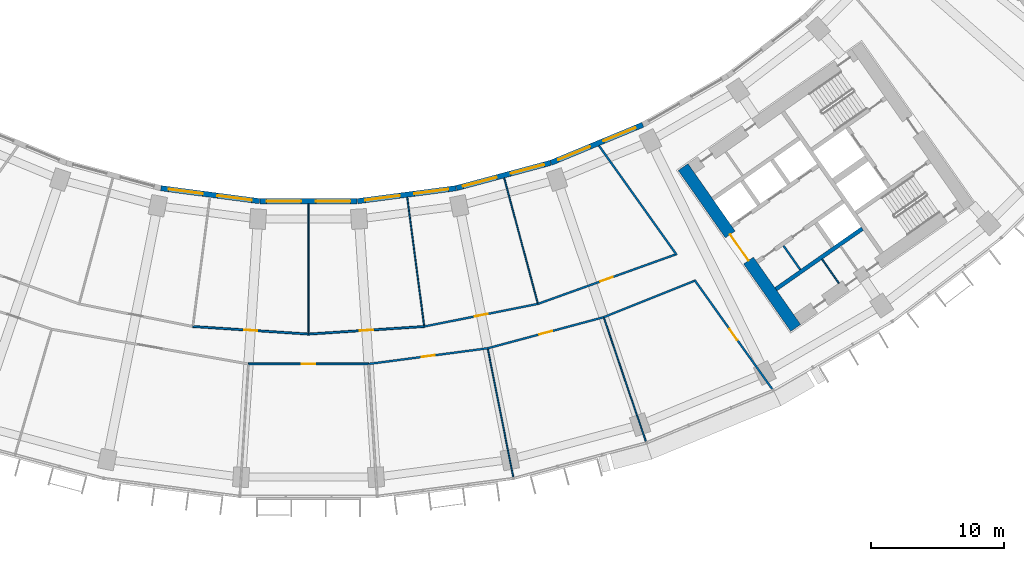
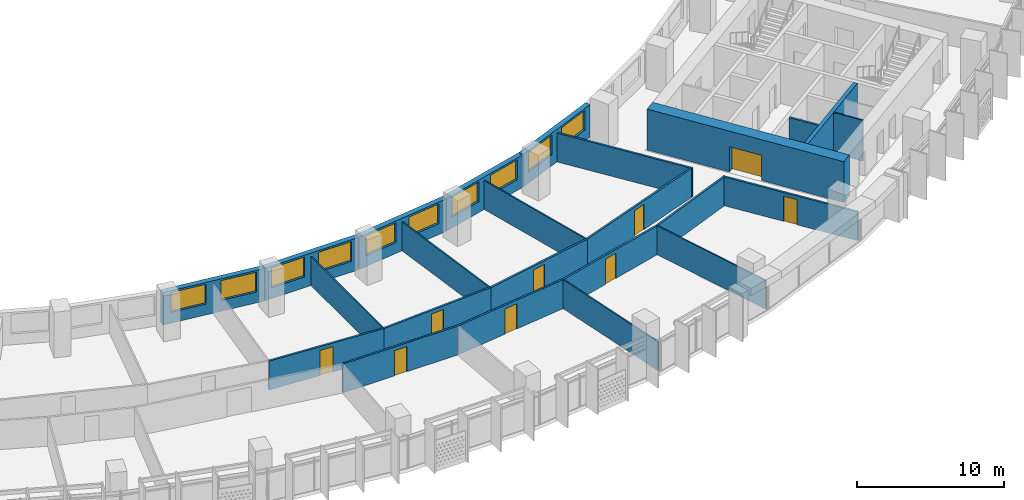
# One storey, part 6 of 28: 24 walls, 10 windows, 9 doors, 19 openings.
"""IFC4 building model written with IfcOpenShell, lengths in metres."""

from ifc_helpers import new_model, si_unit, direction, frame, frame_2d, origin, place, context, subcontext, project, spatial, rectangle, extrude, material, layer, layer_set, type_object, element, fill, save


model = new_model("IFC4")

# Units and contexts
model_context = context("Model", 3, precision=1e-05, world=origin(), true_north=direction((0.0, 1.0)))
body_context = subcontext(model_context, "Body", "Model", "MODEL_VIEW")
ifc_project = project(units=[si_unit("LENGTHUNIT", "METRE"), si_unit("AREAUNIT", "SQUARE_METRE"), si_unit("VOLUMEUNIT", "CUBIC_METRE"), si_unit("PLANEANGLEUNIT", "RADIAN"), si_unit("MASSUNIT", "GRAM", prefix="KILO")], contexts=[model_context])

# Site, building, storey
site_placement = place(None, origin())
site = spatial("IfcSite", under=ifc_project, at=site_placement, CompositionType="ELEMENT")
building_placement = place(site_placement, origin())
building = spatial("IfcBuilding", under=site, at=building_placement, Name="Qamariyya Broadcast Tower", CompositionType="ELEMENT")
storey_placement = place(building_placement, frame((0.0, 0.0, 140.5)))
storey = spatial("IfcBuildingStorey", under=building, at=storey_placement, Name="L32", CompositionType="ELEMENT", Elevation=140.5)

# Wall, opening, door
ifc_material_1 = material(Name="Concrete C70/85", Category="concrete")
ifc_layer_1 = layer(ifc_material_1, 0.89990234375)
ifc_layer_set_1 = layer_set([ifc_layer_1], Name="Core wall 900 mm Concrete C70/85")
wall_type_1 = type_object("IfcWallType", Name="Core wall 900 mm Concrete C70/85", PredefinedType="SHEAR", material=ifc_layer_set_1)
wall_1_placement = place(storey_placement, frame((36.716796875, -66.3369140625, 0.0), z_axis=(0.0, 0.0, 1.0), x_axis=(-0.573577477574, 0.819151315216, 0.0)))
wall_1 = element("IfcWall", 1, at=wall_1_placement, inside=storey, type_object=wall_type_1, Name="k-E-L32-WA", PredefinedType="SHEAR", context=body_context, shape_type="SweptSolid", body=[
    extrude(rectangle(XDim=14.800048828125, YDim=0.89990234375, at=frame_2d((7.39990234375, 0.0))), origin(), (0.0, 0.0, 1.0), 3.39990234375),
])
opening_1_placement = place(wall_1_placement, frame((6.199951171875, 0.0, 0.0)))
opening_1 = element("IfcOpeningElement", 2, at=opening_1_placement, cuts=wall_1, Name="Opening KD3-E1", PredefinedType="OPENING", context=body_context, shape_type="SweptSolid", body=[
    extrude(rectangle(XDim=2.39990234375, YDim=2.10009765625, at=frame_2d((1.199951171875, 1.050048828125))), frame((0.0, 0.4599609375, 0.0), z_axis=(0.0, -1.0, 0.0), x_axis=(1.0, 0.0, 0.0)), (0.0, 0.0, 1.0), 0.919921875),
])
ifc_material_2 = material(Name="Steel fire-resisting door leaf", Category="steel")
door_type_1 = type_object("IfcDoorType", Name="Lift lobby door KD3", OperationType="DOUBLE_DOOR_SINGLE_SWING", PredefinedType="DOOR", material=ifc_material_2)
door_1_placement = place(opening_1_placement, origin())
door_1 = element("IfcDoor", 3, at=door_1_placement, inside=storey, type_object=door_type_1, Name="k-E-L32-WA-D1", OperationType="DOUBLE_DOOR_SINGLE_SWING", OverallHeight=2.10009765625, OverallWidth=2.39990234375, PredefinedType="DOOR", context=body_context, shape_type="SweptSolid", body=[
    extrude(rectangle(XDim=2.39990234375, YDim=2.10009765625, at=frame_2d((1.199951171875, 1.050048828125))), frame((0.0, 0.02490234375, 0.0), z_axis=(0.0, -1.0, 0.0), x_axis=(1.0, 0.0, 0.0)), (0.0, 0.0, 1.0), 0.050048828125),
])
fill(opening_1, door_1)

ifc_material_3 = material(Name="Gypsum board partition")
ifc_layer_2 = layer(ifc_material_3, 0.14990234375)
ifc_layer_set_2 = layer_set([ifc_layer_2], Name="Corridor partition 150 EI 60")
wall_type_2 = type_object("IfcWallType", Name="Corridor partition 150 EI 60", PredefinedType="PARTITIONING", material=ifc_layer_set_2)
wall_2_placement = place(storey_placement, frame((-8.71923828125, -66.228515625, 0.0), z_axis=(0.0, 0.0, 1.0), x_axis=(0.997858593599, -0.065408158359, 0.0)))
wall_2 = element("IfcWall", 4, at=wall_2_placement, inside=storey, type_object=wall_type_2, Name="Partition L32-018", PredefinedType="PARTITIONING", context=body_context, shape_type="SweptSolid", body=[
    extrude(rectangle(XDim=8.738037109375, YDim=0.14990234375, at=frame_2d((4.369140625, 0.0))), origin(), (0.0, 0.0, 1.0), 2.39990234375),
])
opening_2_placement = place(wall_2_placement, frame((3.868896484375, 0.0, 0.0)))
opening_2 = element("IfcOpeningElement", 5, at=opening_2_placement, cuts=wall_2, Name="Opening L32-D10", PredefinedType="OPENING", context=body_context, shape_type="SweptSolid", body=[
    extrude(rectangle(XDim=1.0, YDim=2.10009765625, at=frame_2d((0.5, 1.050048828125))), frame((0.0, 0.0849609375, 0.0), z_axis=(0.0, -1.0, 0.0), x_axis=(1.0, 0.0, 0.0)), (0.0, 0.0, 1.0), 0.169921875),
])
ifc_material_4 = material(Name="Timber fire door leaf", Category="wood")
door_type_2 = type_object("IfcDoorType", Name="Fire door 1000 x 2100 FD60", OperationType="NOTDEFINED", PredefinedType="DOOR", material=ifc_material_4)
door_2_placement = place(opening_2_placement, origin())
door_2 = element("IfcDoor", 6, at=door_2_placement, inside=storey, type_object=door_type_2, Name="Door L32-D10", OperationType="SINGLE_SWING_RIGHT", OverallHeight=2.10009765625, OverallWidth=1.0, PredefinedType="DOOR", context=body_context, shape_type="SweptSolid", body=[
    extrude(rectangle(XDim=1.0, YDim=2.10009765625, at=frame_2d((0.5, 1.050048828125))), frame((0.0, 0.02490234375, 0.0), z_axis=(0.0, -1.0, 0.0), x_axis=(1.0, 0.0, 0.0)), (0.0, 0.0, 1.0), 0.050048828125),
])
fill(opening_2, door_2)

wall_3_placement = place(storey_placement, frame((4.52587890625, -69.0517578125, 0.0), z_axis=(0.0, 0.0, 1.0), x_axis=(-1.0, 0.0, 0.0)))
wall_3 = element("IfcWall", 7, at=wall_3_placement, inside=storey, type_object=wall_type_2, Name="Partition L32-021", PredefinedType="PARTITIONING", context=body_context, shape_type="SweptSolid", body=[
    extrude(rectangle(XDim=9.0517578125, YDim=0.14990234375, at=frame_2d((4.52587890625, 0.0))), origin(), (0.0, 0.0, 1.0), 2.39990234375),
])
opening_3_placement = place(wall_3_placement, frame((4.02587890625, 0.0, 0.0)))
opening_3 = element("IfcOpeningElement", 8, at=opening_3_placement, cuts=wall_3, Name="Opening L32-D04", PredefinedType="OPENING", context=body_context, shape_type="SweptSolid", body=[
    extrude(rectangle(XDim=1.0, YDim=2.10009765625, at=frame_2d((0.5, 1.050048828125))), frame((0.0, 0.0849609375, 0.0), z_axis=(0.0, -1.0, 0.0), x_axis=(1.0, 0.0, 0.0)), (0.0, 0.0, 1.0), 0.169921875),
])
door_3_placement = place(opening_3_placement, origin())
door_3 = element("IfcDoor", 9, at=door_3_placement, inside=storey, type_object=door_type_2, Name="Door L32-D04", OperationType="SINGLE_SWING_RIGHT", OverallHeight=2.10009765625, OverallWidth=1.0, PredefinedType="DOOR", context=body_context, shape_type="SweptSolid", body=[
    extrude(rectangle(XDim=1.0, YDim=2.10009765625, at=frame_2d((0.5, 1.050048828125))), frame((0.0, 0.02490234375, 0.0), z_axis=(0.0, -1.0, 0.0), x_axis=(1.0, 0.0, 0.0)), (0.0, 0.0, 1.0), 0.050048828125),
])
fill(opening_3, door_3)

wall_4_placement = place(storey_placement, frame((0.0, -66.800048828125, 0.0), z_axis=(0.0, 0.0, 1.0), x_axis=(0.997858593599, 0.065408158359, 0.0)))
wall_4 = element("IfcWall", 10, at=wall_4_placement, inside=storey, type_object=wall_type_2, Name="Partition L32-022", PredefinedType="PARTITIONING", context=body_context, shape_type="SweptSolid", body=[
    extrude(rectangle(XDim=8.738037109375, YDim=0.14990234375, at=frame_2d((4.369140625, 0.0))), origin(), (0.0, 0.0, 1.0), 2.39990234375),
])
opening_4_placement = place(wall_4_placement, frame((3.868896484375, 0.0, 0.0)))
opening_4 = element("IfcOpeningElement", 11, at=opening_4_placement, cuts=wall_4, Name="Opening L32-D11", PredefinedType="OPENING", context=body_context, shape_type="SweptSolid", body=[
    extrude(rectangle(XDim=1.0, YDim=2.10009765625, at=frame_2d((0.5, 1.050048828125))), frame((0.0, 0.0849609375, 0.0), z_axis=(0.0, -1.0, 0.0), x_axis=(1.0, 0.0, 0.0)), (0.0, 0.0, 1.0), 0.169921875),
])
door_4_placement = place(opening_4_placement, origin())
door_4 = element("IfcDoor", 12, at=door_4_placement, inside=storey, type_object=door_type_2, Name="Door L32-D11", OperationType="SINGLE_SWING_RIGHT", OverallHeight=2.10009765625, OverallWidth=1.0, PredefinedType="DOOR", context=body_context, shape_type="SweptSolid", body=[
    extrude(rectangle(XDim=1.0, YDim=2.10009765625, at=frame_2d((0.5, 1.050048828125))), frame((0.0, 0.02490234375, 0.0), z_axis=(0.0, -1.0, 0.0), x_axis=(1.0, 0.0, 0.0)), (0.0, 0.0, 1.0), 0.050048828125),
])
fill(opening_4, door_4)

wall_5_placement = place(storey_placement, frame((13.500244140625, -67.870361328125, 0.0), z_axis=(0.0, 0.0, 1.0), x_axis=(-0.991446306881, -0.13051521203, 0.0)))
wall_5 = element("IfcWall", 13, at=wall_5_placement, inside=storey, type_object=wall_type_2, Name="Partition L32-024", PredefinedType="PARTITIONING", context=body_context, shape_type="SweptSolid", body=[
    extrude(rectangle(XDim=9.0517578125, YDim=0.14990234375, at=frame_2d((4.52587890625, 0.0))), origin(), (0.0, 0.0, 1.0), 2.39990234375),
])
opening_5_placement = place(wall_5_placement, frame((4.02587890625, 0.0, 0.0)))
opening_5 = element("IfcOpeningElement", 14, at=opening_5_placement, cuts=wall_5, Name="Opening L32-D05", PredefinedType="OPENING", context=body_context, shape_type="SweptSolid", body=[
    extrude(rectangle(XDim=1.0, YDim=2.10009765625, at=frame_2d((0.5, 1.050048828125))), frame((0.0, 0.0849609375, 0.0), z_axis=(0.0, -1.0, 0.0), x_axis=(1.0, 0.0, 0.0)), (0.0, 0.0, 1.0), 0.169921875),
])
door_5_placement = place(opening_5_placement, origin())
door_5 = element("IfcDoor", 15, at=door_5_placement, inside=storey, type_object=door_type_2, Name="Door L32-D05", OperationType="SINGLE_SWING_RIGHT", OverallHeight=2.10009765625, OverallWidth=1.0, PredefinedType="DOOR", context=body_context, shape_type="SweptSolid", body=[
    extrude(rectangle(XDim=1.0, YDim=2.10009765625, at=frame_2d((0.5, 1.050048828125))), frame((0.0, 0.02490234375, 0.0), z_axis=(0.0, -1.0, 0.0), x_axis=(1.0, 0.0, 0.0)), (0.0, 0.0, 1.0), 0.050048828125),
])
fill(opening_5, door_5)

wall_6_placement = place(storey_placement, frame((8.71923828125, -66.228515625, 0.0), z_axis=(0.0, 0.0, 1.0), x_axis=(0.980786466832, 0.195084357342, 0.0)))
wall_6 = element("IfcWall", 16, at=wall_6_placement, inside=storey, type_object=wall_type_2, Name="Partition L32-027", PredefinedType="PARTITIONING", context=body_context, shape_type="SweptSolid", body=[
    extrude(rectangle(XDim=8.73779296875, YDim=0.14990234375, at=frame_2d((4.368896484375, 0.0))), origin(), (0.0, 0.0, 1.0), 2.39990234375),
])
opening_6_placement = place(wall_6_placement, frame((3.868896484375, 0.0, 0.0)))
opening_6 = element("IfcOpeningElement", 17, at=opening_6_placement, cuts=wall_6, Name="Opening L32-D12", PredefinedType="OPENING", context=body_context, shape_type="SweptSolid", body=[
    extrude(rectangle(XDim=1.0, YDim=2.10009765625, at=frame_2d((0.5, 1.050048828125))), frame((0.0, 0.0849609375, 0.0), z_axis=(0.0, -1.0, 0.0), x_axis=(1.0, 0.0, 0.0)), (0.0, 0.0, 1.0), 0.169921875),
])
door_6_placement = place(opening_6_placement, origin())
door_6 = element("IfcDoor", 18, at=door_6_placement, inside=storey, type_object=door_type_2, Name="Door L32-D12", OperationType="SINGLE_SWING_RIGHT", OverallHeight=2.10009765625, OverallWidth=1.0, PredefinedType="DOOR", context=body_context, shape_type="SweptSolid", body=[
    extrude(rectangle(XDim=1.0, YDim=2.10009765625, at=frame_2d((0.5, 1.050048828125))), frame((0.0, 0.02490234375, 0.0), z_axis=(0.0, -1.0, 0.0), x_axis=(1.0, 0.0, 0.0)), (0.0, 0.0, 1.0), 0.050048828125),
])
fill(opening_6, door_6)

wall_7_placement = place(storey_placement, frame((22.24365234375, -65.527587890625, 0.0), z_axis=(0.0, 0.0, 1.0), x_axis=(-0.965926260719, -0.258817423781, 0.0)))
wall_7 = element("IfcWall", 19, at=wall_7_placement, inside=storey, type_object=wall_type_2, Name="Partition L32-028", PredefinedType="PARTITIONING", context=body_context, shape_type="SweptSolid", body=[
    extrude(rectangle(XDim=9.0517578125, YDim=0.14990234375, at=frame_2d((4.52587890625, 0.0))), origin(), (0.0, 0.0, 1.0), 2.39990234375),
])
opening_7_placement = place(wall_7_placement, frame((4.02587890625, 0.0, 0.0)))
opening_7 = element("IfcOpeningElement", 20, at=opening_7_placement, cuts=wall_7, Name="Opening L32-D06", PredefinedType="OPENING", context=body_context, shape_type="SweptSolid", body=[
    extrude(rectangle(XDim=1.0, YDim=2.10009765625, at=frame_2d((0.5, 1.050048828125))), frame((0.0, 0.0849609375, 0.0), z_axis=(0.0, -1.0, 0.0), x_axis=(1.0, 0.0, 0.0)), (0.0, 0.0, 1.0), 0.169921875),
])
door_7_placement = place(opening_7_placement, origin())
door_7 = element("IfcDoor", 21, at=door_7_placement, inside=storey, type_object=door_type_2, Name="Door L32-D06", OperationType="SINGLE_SWING_RIGHT", OverallHeight=2.10009765625, OverallWidth=1.0, PredefinedType="DOOR", context=body_context, shape_type="SweptSolid", body=[
    extrude(rectangle(XDim=1.0, YDim=2.10009765625, at=frame_2d((0.5, 1.050048828125))), frame((0.0, 0.02490234375, 0.0), z_axis=(0.0, -1.0, 0.0), x_axis=(1.0, 0.0, 0.0)), (0.0, 0.0, 1.0), 0.050048828125),
])
fill(opening_7, door_7)

wall_8_placement = place(storey_placement, frame((17.2890625, -64.52392578125, 0.0), z_axis=(0.0, 0.0, 1.0), x_axis=(0.941150861554, 0.337986768669, 0.0)))
wall_8 = element("IfcWall", 22, at=wall_8_placement, inside=storey, type_object=wall_type_2, Name="Partition L32-031", PredefinedType="PARTITIONING", context=body_context, shape_type="SweptSolid", body=[
    extrude(rectangle(XDim=10.998291015625, YDim=0.14990234375, at=frame_2d((5.4990234375, 0.0))), origin(), (0.0, 0.0, 1.0), 2.39990234375),
])
opening_8_placement = place(wall_8_placement, frame((4.9990234375, 0.0, 0.0)))
opening_8 = element("IfcOpeningElement", 23, at=opening_8_placement, cuts=wall_8, Name="Opening L32-D13", PredefinedType="OPENING", context=body_context, shape_type="SweptSolid", body=[
    extrude(rectangle(XDim=1.0, YDim=2.10009765625, at=frame_2d((0.5, 1.050048828125))), frame((0.0, 0.0849609375, 0.0), z_axis=(0.0, -1.0, 0.0), x_axis=(1.0, 0.0, 0.0)), (0.0, 0.0, 1.0), 0.169921875),
])
door_8_placement = place(opening_8_placement, origin())
door_8 = element("IfcDoor", 24, at=door_8_placement, inside=storey, type_object=door_type_2, Name="Door L32-D13", OperationType="SINGLE_SWING_RIGHT", OverallHeight=2.10009765625, OverallWidth=1.0, PredefinedType="DOOR", context=body_context, shape_type="SweptSolid", body=[
    extrude(rectangle(XDim=1.0, YDim=2.10009765625, at=frame_2d((0.5, 1.050048828125))), frame((0.0, 0.02490234375, 0.0), z_axis=(0.0, -1.0, 0.0), x_axis=(1.0, 0.0, 0.0)), (0.0, 0.0, 1.0), 0.050048828125),
])
fill(opening_8, door_8)

# Walls
wall_9_placement = place(storey_placement, frame((21.8837890625, -52.59765625, 0.0), z_axis=(0.0, 0.0, 1.0), x_axis=(0.580016763963, -0.814604538118, 0.0)))
element("IfcWall", 25, at=wall_9_placement, inside=storey, type_object=wall_type_2, Name="Partition L32-032", PredefinedType="PARTITIONING", context=body_context, shape_type="SweptSolid", body=[
    extrude(rectangle(XDim=10.12109375, YDim=0.14990234375, at=frame_2d((5.060546875, 0.0))), origin(), (0.0, 0.0, 1.0), 2.39990234375),
])
wall_10_placement = place(storey_placement, frame((22.24365234375, -65.527587890625, 0.0), z_axis=(0.0, 0.0, 1.0), x_axis=(0.92834358791, 0.371723261025, 0.0)))
element("IfcWall", 26, at=wall_10_placement, inside=storey, type_object=wall_type_2, Name="Partition L32-033", PredefinedType="PARTITIONING", context=body_context, shape_type="SweptSolid", body=[
    extrude(rectangle(XDim=7.340087890625, YDim=0.14990234375, at=frame_2d((3.669921875, 0.0))), origin(), (0.0, 0.0, 1.0), 2.39990234375),
])

# Wall, opening, door
wall_11_placement = place(storey_placement, frame((34.95751953125, -70.958984375, 0.0), z_axis=(0.0, 0.0, 1.0), x_axis=(-0.580031092611, 0.814594335608, 0.0)))
wall_11 = element("IfcWall", 27, at=wall_11_placement, inside=storey, type_object=wall_type_2, Name="Partition L32-035", PredefinedType="PARTITIONING", context=body_context, shape_type="SweptSolid", body=[
    extrude(rectangle(XDim=10.126220703125, YDim=0.14990234375, at=frame_2d((5.06298828125, 0.0))), origin(), (0.0, 0.0, 1.0), 2.39990234375),
])
opening_9_placement = place(wall_11_placement, frame((4.563232421875, 0.0, 0.0)))
opening_9 = element("IfcOpeningElement", 28, at=opening_9_placement, cuts=wall_11, Name="Opening L32-D07", PredefinedType="OPENING", context=body_context, shape_type="SweptSolid", body=[
    extrude(rectangle(XDim=1.0, YDim=2.10009765625, at=frame_2d((0.5, 1.050048828125))), frame((0.0, 0.0849609375, 0.0), z_axis=(0.0, -1.0, 0.0), x_axis=(1.0, 0.0, 0.0)), (0.0, 0.0, 1.0), 0.169921875),
])
door_9_placement = place(opening_9_placement, origin())
door_9 = element("IfcDoor", 29, at=door_9_placement, inside=storey, type_object=door_type_2, Name="Door L32-D07", OperationType="SINGLE_SWING_RIGHT", OverallHeight=2.10009765625, OverallWidth=1.0, PredefinedType="DOOR", context=body_context, shape_type="SweptSolid", body=[
    extrude(rectangle(XDim=1.0, YDim=2.10009765625, at=frame_2d((0.5, 1.050048828125))), frame((0.0, 0.02490234375, 0.0), z_axis=(0.0, -1.0, 0.0), x_axis=(1.0, 0.0, 0.0)), (0.0, 0.0, 1.0), 0.050048828125),
])
fill(opening_9, door_9)

# Walls
ifc_material_5 = material(Name="Gypsum board partition on steel studs", Category="steel")
ifc_layer_3 = layer(ifc_material_5, 0.14990234375)
ifc_layer_set_3 = layer_set([ifc_layer_3], Name="Gypsum board partition 150 mm")
wall_type_3 = type_object("IfcWallType", Name="Gypsum board partition 150 mm", PredefinedType="PARTITIONING", material=ifc_layer_set_3)
wall_12_placement = place(storey_placement, frame((35.79833984375, -60.143798828125, 0.0), z_axis=(0.0, 0.0, 1.0), x_axis=(0.573633636671, -0.819111989218, 0.0)))
element("IfcWall", 30, at=wall_12_placement, inside=storey, type_object=wall_type_3, Name="k-E-L32-SC235", PredefinedType="PARTITIONING", context=body_context, shape_type="SweptSolid", body=[
    extrude(rectangle(XDim=2.199951171875, YDim=0.14990234375, at=frame_2d((1.10009765625, 0.0))), origin(), (0.0, 0.0, 1.0), 3.39990234375),
])
ifc_material_6 = material(Name="Concrete C60/75", Category="concrete")
ifc_layer_4 = layer(ifc_material_6, 0.300048828125)
ifc_layer_set_4 = layer_set([ifc_layer_4], Name="Lift shaft wall 300 mm Concrete C60/75")
wall_type_4 = type_object("IfcWallType", Name="Lift shaft wall 300 mm Concrete C60/75", PredefinedType="SOLIDWALL", material=ifc_layer_set_4)
wall_13_placement = place(storey_placement, frame((35.22119140625, -63.41650390625, 0.0), z_axis=(0.0, 0.0, 1.0), x_axis=(0.819166993208, 0.573555086491, 0.0)))
element("IfcWall", 31, at=wall_13_placement, inside=storey, type_object=wall_type_4, Name="k-E-L32-SB0", PredefinedType="SOLIDWALL", context=body_context, shape_type="SweptSolid", body=[
    extrude(rectangle(XDim=7.9501953125, YDim=0.300048828125, at=frame_2d((3.97509765625, 0.0))), origin(), (0.0, 0.0, 1.0), 3.39990234375),
])
ifc_layer_5 = layer(ifc_material_3, 0.10009765625)
ifc_layer_set_5 = layer_set([ifc_layer_5], Name="Partition 100")
wall_type_5 = type_object("IfcWallType", Name="Partition 100", PredefinedType="PARTITIONING", material=ifc_layer_set_5)
wall_14_placement = place(storey_placement, frame((0.0, -56.978515625, 0.0), z_axis=(0.0, 0.0, 1.0), x_axis=(0.0, -1.0, 0.0)))
element("IfcWall", 32, at=wall_14_placement, inside=storey, type_object=wall_type_5, Name="Partition L32-023", PredefinedType="PARTITIONING", context=body_context, shape_type="SweptSolid", body=[
    extrude(rectangle(XDim=9.74658203125, YDim=0.10009765625, at=frame_2d((4.873291015625, 0.0))), origin(), (0.0, 0.0, 1.0), 2.39990234375),
])
for number, where, z_axis, x_axis, name in (
    (33, (7.437255859375, -56.4912109375, 0.0), (0.0, 0.0, 1.0), (0.13053421433, -0.99144380521, 0.0), "Partition L32-026"),
    (34, (14.7470703125, -55.037109375, 0.0), (0.0, 0.0, 1.0), (0.258833329344, -0.965921998725, 0.0), "Partition L32-029"),
):
    element("IfcWall", number, at=place(storey_placement, frame(where, z_axis=z_axis, x_axis=x_axis)), inside=storey, type_object=wall_type_5, Name=name, PredefinedType="PARTITIONING", context=body_context, shape_type="SweptSolid", body=[
        extrude(rectangle(XDim=9.746337890625, YDim=0.10009765625, at=frame_2d((4.873046875, 0.0))), origin(), (0.0, 0.0, 1.0), 2.39990234375),
    ])
wall_15_placement = place(storey_placement, frame((15.431640625, -77.580078125, 0.0), z_axis=(0.0, 0.0, 1.0), x_axis=(-0.195088621536, 0.980785618648, 0.0)))
element("IfcWall", 35, at=wall_15_placement, inside=storey, type_object=wall_type_5, Name="Partition L32-030", PredefinedType="PARTITIONING", context=body_context, shape_type="SweptSolid", body=[
    extrude(rectangle(XDim=9.824951171875, YDim=0.10009765625, at=frame_2d((4.91259765625, 0.0))), origin(), (0.0, 0.0, 1.0), 2.39990234375),
])
wall_16_placement = place(storey_placement, frame((25.42578125, -74.902099609375, 0.0), z_axis=(0.0, 0.0, 1.0), x_axis=(-0.3214264651, 0.94693454237, 0.0)))
element("IfcWall", 36, at=wall_16_placement, inside=storey, type_object=wall_type_5, Name="Partition L32-034", PredefinedType="PARTITIONING", context=body_context, shape_type="SweptSolid", body=[
    extrude(rectangle(XDim=9.82470703125, YDim=0.10009765625, at=frame_2d((4.912353515625, 0.0))), origin(), (0.0, 0.0, 1.0), 2.39990234375),
])
ifc_material_7 = material(Name="Fire-rated gypsum shaft liner on steel studs", Category="steel")
ifc_layer_6 = layer(ifc_material_7, 0.10009765625)
ifc_layer_set_6 = layer_set([ifc_layer_6], Name="Riser wall 100 mm")
wall_type_6 = type_object("IfcWallType", Name="Riser wall 100 mm", PredefinedType="PLUMBINGWALL", material=ifc_layer_set_6)
wall_17_placement = place(storey_placement, frame((38.706787109375, -61.1591796875, 0.0), z_axis=(0.0, 0.0, 1.0), x_axis=(0.573633636671, -0.819111989218, 0.0)))
element("IfcWall", 37, at=wall_17_placement, inside=storey, type_object=wall_type_6, Name="k-E-L32-SP415", PredefinedType="PLUMBINGWALL", context=body_context, shape_type="SweptSolid", body=[
    extrude(rectangle(XDim=2.199951171875, YDim=0.10009765625, at=frame_2d((1.10009765625, 0.0))), origin(), (0.0, 0.0, 1.0), 3.39990234375),
])

# Wall, openings, windows
ifc_material_8 = material(Name="Terracotta", Category="masonry")
ifc_layer_7 = layer(ifc_material_8, 0.39990234375)
ifc_layer_set_7 = layer_set([ifc_layer_7], Name="Terracotta clad wall 400")
wall_type_7 = type_object("IfcWallType", Name="Terracotta clad wall 400", PredefinedType="SOLIDWALL", material=ifc_layer_set_7)
wall_18_placement = place(storey_placement, frame((11.12548828125, -55.803955078125, 0.0), z_axis=(0.0, 0.0, 1.0), x_axis=(-0.991444533306, -0.130528684121, 0.0)))
wall_18 = element("IfcWall", 38, at=wall_18_placement, inside=storey, type_object=wall_type_7, Name="e-wl-L32-in100", PredefinedType="SOLIDWALL", context=body_context, shape_type="SweptSolid", body=[
    extrude(rectangle(XDim=7.492919921875, YDim=0.39990234375, at=frame_2d((3.74658203125, 0.0))), origin(), (0.0, 0.0, 1.0), 2.699951171875),
])
opening_10_placement = place(wall_18_placement, frame((4.300537109375, 0.0, 0.89990234375)))
opening_10 = element("IfcOpeningElement", 39, at=opening_10_placement, cuts=wall_18, Name="Opening W1", PredefinedType="OPENING", context=body_context, shape_type="SweptSolid", body=[
    extrude(rectangle(XDim=2.60009765625, YDim=1.64990234375, at=frame_2d((1.300048828125, 0.824951171875))), frame((0.0, 0.2099609375, 0.0), z_axis=(0.0, -1.0, 0.0), x_axis=(1.0, 0.0, 0.0)), (0.0, 0.0, 1.0), 0.419921875),
])
opening_11_placement = place(wall_18_placement, frame((0.59228515625, 0.0, 0.89990234375)))
opening_11 = element("IfcOpeningElement", 40, at=opening_11_placement, cuts=wall_18, Name="Opening W1", PredefinedType="OPENING", context=body_context, shape_type="SweptSolid", body=[
    extrude(rectangle(XDim=2.60009765625, YDim=1.64990234375, at=frame_2d((1.300048828125, 0.824951171875))), frame((0.0, 0.2099609375, 0.0), z_axis=(0.0, -1.0, 0.0), x_axis=(1.0, 0.0, 0.0)), (0.0, 0.0, 1.0), 0.419921875),
])
ifc_material_9 = material(Name="Clear low-e double glazed unit in aluminium frame", Category="aluminium")
window_type = type_object("IfcWindowType", Name="Ribbon window 2600 x 1650", PartitioningType="SINGLE_PANEL", PredefinedType="WINDOW", material=ifc_material_9)
window_1_placement = place(opening_10_placement, origin())
window_1 = element("IfcWindow", 41, at=window_1_placement, inside=storey, type_object=window_type, Name="e-w-L32-in10-0", OverallHeight=1.64990234375, OverallWidth=2.60009765625, PartitioningType="SINGLE_PANEL", PredefinedType="WINDOW", context=body_context, shape_type="SweptSolid", body=[
    extrude(rectangle(XDim=2.60009765625, YDim=1.64990234375, at=frame_2d((1.300048828125, 0.824951171875))), frame((0.0, 0.030029296875, 0.0), z_axis=(0.0, -1.0, 0.0), x_axis=(1.0, 0.0, 0.0)), (0.0, 0.0, 1.0), 0.06005859375),
])
fill(opening_10, window_1)
window_2_placement = place(opening_11_placement, origin())
window_2 = element("IfcWindow", 42, at=window_2_placement, inside=storey, type_object=window_type, Name="e-w-L32-in10-1", OverallHeight=1.64990234375, OverallWidth=2.60009765625, PartitioningType="SINGLE_PANEL", PredefinedType="WINDOW", context=body_context, shape_type="SweptSolid", body=[
    extrude(rectangle(XDim=2.60009765625, YDim=1.64990234375, at=frame_2d((1.300048828125, 0.824951171875))), frame((0.0, 0.030029296875, 0.0), z_axis=(0.0, -1.0, 0.0), x_axis=(1.0, 0.0, 0.0)), (0.0, 0.0, 1.0), 0.06005859375),
])
fill(opening_11, window_2)

wall_19_placement = place(storey_placement, frame((18.240966796875, -53.893798828125, 0.0), z_axis=(0.0, 0.0, 1.0), x_axis=(-0.965924597867, -0.258823629594, 0.0)))
wall_19 = element("IfcWall", 43, at=wall_19_placement, inside=storey, type_object=wall_type_7, Name="e-wl-L32-in110", PredefinedType="SOLIDWALL", context=body_context, shape_type="SweptSolid", body=[
    extrude(rectangle(XDim=7.341552734375, YDim=0.39990234375, at=frame_2d((3.6708984375, 0.0))), origin(), (0.0, 0.0, 1.0), 2.699951171875),
])
opening_12_placement = place(wall_19_placement, frame((4.224853515625, 0.0, 0.89990234375)))
opening_12 = element("IfcOpeningElement", 44, at=opening_12_placement, cuts=wall_19, Name="Opening W1", PredefinedType="OPENING", context=body_context, shape_type="SweptSolid", body=[
    extrude(rectangle(XDim=2.60009765625, YDim=1.64990234375, at=frame_2d((1.300048828125, 0.824951171875))), frame((0.0, 0.2099609375, 0.0), z_axis=(0.0, -1.0, 0.0), x_axis=(1.0, 0.0, 0.0)), (0.0, 0.0, 1.0), 0.419921875),
])
opening_13_placement = place(wall_19_placement, frame((0.5166015625, 0.0, 0.89990234375)))
opening_13 = element("IfcOpeningElement", 45, at=opening_13_placement, cuts=wall_19, Name="Opening W1", PredefinedType="OPENING", context=body_context, shape_type="SweptSolid", body=[
    extrude(rectangle(XDim=2.60009765625, YDim=1.64990234375, at=frame_2d((1.300048828125, 0.824951171875))), frame((0.0, 0.2099609375, 0.0), z_axis=(0.0, -1.0, 0.0), x_axis=(1.0, 0.0, 0.0)), (0.0, 0.0, 1.0), 0.419921875),
])
window_3_placement = place(opening_12_placement, origin())
window_3 = element("IfcWindow", 46, at=window_3_placement, inside=storey, type_object=window_type, Name="e-w-L32-in11-0", OverallHeight=1.64990234375, OverallWidth=2.60009765625, PartitioningType="SINGLE_PANEL", PredefinedType="WINDOW", context=body_context, shape_type="SweptSolid", body=[
    extrude(rectangle(XDim=2.60009765625, YDim=1.64990234375, at=frame_2d((1.300048828125, 0.824951171875))), frame((0.0, 0.030029296875, 0.0), z_axis=(0.0, -1.0, 0.0), x_axis=(1.0, 0.0, 0.0)), (0.0, 0.0, 1.0), 0.06005859375),
])
fill(opening_12, window_3)
window_4_placement = place(opening_13_placement, origin())
window_4 = element("IfcWindow", 47, at=window_4_placement, inside=storey, type_object=window_type, Name="e-w-L32-in11-1", OverallHeight=1.64990234375, OverallWidth=2.60009765625, PartitioningType="SINGLE_PANEL", PredefinedType="WINDOW", context=body_context, shape_type="SweptSolid", body=[
    extrude(rectangle(XDim=2.60009765625, YDim=1.64990234375, at=frame_2d((1.300048828125, 0.824951171875))), frame((0.0, 0.030029296875, 0.0), z_axis=(0.0, -1.0, 0.0), x_axis=(1.0, 0.0, 0.0)), (0.0, 0.0, 1.0), 0.06005859375),
])
fill(opening_13, window_4)

wall_20_placement = place(storey_placement, frame((25.189453125, -51.02294921875, 0.0), z_axis=(0.0, 0.0, 1.0), x_axis=(-0.923879826967, -0.382682721486, 0.0)))
wall_20 = element("IfcWall", 48, at=wall_20_placement, inside=storey, type_object=wall_type_7, Name="e-wl-L32-in120", PredefinedType="SOLIDWALL", context=body_context, shape_type="SweptSolid", body=[
    extrude(rectangle(XDim=7.492919921875, YDim=0.39990234375, at=frame_2d((3.74658203125, 0.0))), origin(), (0.0, 0.0, 1.0), 2.699951171875),
])
opening_14_placement = place(wall_20_placement, frame((4.300537109375, 0.0, 0.89990234375)))
opening_14 = element("IfcOpeningElement", 49, at=opening_14_placement, cuts=wall_20, Name="Opening W1", PredefinedType="OPENING", context=body_context, shape_type="SweptSolid", body=[
    extrude(rectangle(XDim=2.60009765625, YDim=1.64990234375, at=frame_2d((1.300048828125, 0.824951171875))), frame((0.0, 0.2099609375, 0.0), z_axis=(0.0, -1.0, 0.0), x_axis=(1.0, 0.0, 0.0)), (0.0, 0.0, 1.0), 0.419921875),
])
opening_15_placement = place(wall_20_placement, frame((0.59228515625, 0.0, 0.89990234375)))
opening_15 = element("IfcOpeningElement", 50, at=opening_15_placement, cuts=wall_20, Name="Opening W1", PredefinedType="OPENING", context=body_context, shape_type="SweptSolid", body=[
    extrude(rectangle(XDim=2.60009765625, YDim=1.64990234375, at=frame_2d((1.300048828125, 0.824951171875))), frame((0.0, 0.2099609375, 0.0), z_axis=(0.0, -1.0, 0.0), x_axis=(1.0, 0.0, 0.0)), (0.0, 0.0, 1.0), 0.419921875),
])
window_5_placement = place(opening_14_placement, origin())
window_5 = element("IfcWindow", 51, at=window_5_placement, inside=storey, type_object=window_type, Name="e-w-L32-in12-0", OverallHeight=1.64990234375, OverallWidth=2.60009765625, PartitioningType="SINGLE_PANEL", PredefinedType="WINDOW", context=body_context, shape_type="SweptSolid", body=[
    extrude(rectangle(XDim=2.60009765625, YDim=1.64990234375, at=frame_2d((1.300048828125, 0.824951171875))), frame((0.0, 0.030029296875, 0.0), z_axis=(0.0, -1.0, 0.0), x_axis=(1.0, 0.0, 0.0)), (0.0, 0.0, 1.0), 0.06005859375),
])
fill(opening_14, window_5)
window_6_placement = place(opening_15_placement, origin())
window_6 = element("IfcWindow", 52, at=window_6_placement, inside=storey, type_object=window_type, Name="e-w-L32-in12-1", OverallHeight=1.64990234375, OverallWidth=2.60009765625, PartitioningType="SINGLE_PANEL", PredefinedType="WINDOW", context=body_context, shape_type="SweptSolid", body=[
    extrude(rectangle(XDim=2.60009765625, YDim=1.64990234375, at=frame_2d((1.300048828125, 0.824951171875))), frame((0.0, 0.030029296875, 0.0), z_axis=(0.0, -1.0, 0.0), x_axis=(1.0, 0.0, 0.0)), (0.0, 0.0, 1.0), 0.06005859375),
])
fill(opening_15, window_6)

wall_21_placement = place(storey_placement, frame((-3.69677734375, -56.781982421875, 0.0), z_axis=(0.0, 0.0, 1.0), x_axis=(-0.991444533306, 0.130528684121, 0.0)))
wall_21 = element("IfcWall", 53, at=wall_21_placement, inside=storey, type_object=wall_type_7, Name="e-wl-L32-in80", PredefinedType="SOLIDWALL", context=body_context, shape_type="SweptSolid", body=[
    extrude(rectangle(XDim=7.492919921875, YDim=0.39990234375, at=frame_2d((3.74658203125, 0.0))), origin(), (0.0, 0.0, 1.0), 2.699951171875),
])
opening_16_placement = place(wall_21_placement, frame((4.300537109375, 0.0, 0.89990234375)))
opening_16 = element("IfcOpeningElement", 54, at=opening_16_placement, cuts=wall_21, Name="Opening W1", PredefinedType="OPENING", context=body_context, shape_type="SweptSolid", body=[
    extrude(rectangle(XDim=2.60009765625, YDim=1.64990234375, at=frame_2d((1.300048828125, 0.824951171875))), frame((0.0, 0.2099609375, 0.0), z_axis=(0.0, -1.0, 0.0), x_axis=(1.0, 0.0, 0.0)), (0.0, 0.0, 1.0), 0.419921875),
])
opening_17_placement = place(wall_21_placement, frame((0.59228515625, 0.0, 0.89990234375)))
opening_17 = element("IfcOpeningElement", 55, at=opening_17_placement, cuts=wall_21, Name="Opening W1", PredefinedType="OPENING", context=body_context, shape_type="SweptSolid", body=[
    extrude(rectangle(XDim=2.60009765625, YDim=1.64990234375, at=frame_2d((1.300048828125, 0.824951171875))), frame((0.0, 0.2099609375, 0.0), z_axis=(0.0, -1.0, 0.0), x_axis=(1.0, 0.0, 0.0)), (0.0, 0.0, 1.0), 0.419921875),
])
window_7_placement = place(opening_16_placement, origin())
window_7 = element("IfcWindow", 56, at=window_7_placement, inside=storey, type_object=window_type, Name="e-w-L32-in08-0", OverallHeight=1.64990234375, OverallWidth=2.60009765625, PartitioningType="SINGLE_PANEL", PredefinedType="WINDOW", context=body_context, shape_type="SweptSolid", body=[
    extrude(rectangle(XDim=2.60009765625, YDim=1.64990234375, at=frame_2d((1.300048828125, 0.824951171875))), frame((0.0, 0.030029296875, 0.0), z_axis=(0.0, -1.0, 0.0), x_axis=(1.0, 0.0, 0.0)), (0.0, 0.0, 1.0), 0.06005859375),
])
fill(opening_16, window_7)
window_8_placement = place(opening_17_placement, origin())
window_8 = element("IfcWindow", 57, at=window_8_placement, inside=storey, type_object=window_type, Name="e-w-L32-in08-1", OverallHeight=1.64990234375, OverallWidth=2.60009765625, PartitioningType="SINGLE_PANEL", PredefinedType="WINDOW", context=body_context, shape_type="SweptSolid", body=[
    extrude(rectangle(XDim=2.60009765625, YDim=1.64990234375, at=frame_2d((1.300048828125, 0.824951171875))), frame((0.0, 0.030029296875, 0.0), z_axis=(0.0, -1.0, 0.0), x_axis=(1.0, 0.0, 0.0)), (0.0, 0.0, 1.0), 0.06005859375),
])
fill(opening_17, window_8)

wall_22_placement = place(storey_placement, frame((3.670654296875, -56.778564453125, 0.0), z_axis=(0.0, 0.0, 1.0), x_axis=(-1.0, 0.0, 0.0)))
wall_22 = element("IfcWall", 58, at=wall_22_placement, inside=storey, type_object=wall_type_7, Name="e-wl-L32-in90", PredefinedType="SOLIDWALL", context=body_context, shape_type="SweptSolid", body=[
    extrude(rectangle(XDim=7.34130859375, YDim=0.39990234375, at=frame_2d((3.670654296875, 0.0))), origin(), (0.0, 0.0, 1.0), 2.699951171875),
])
opening_18_placement = place(wall_22_placement, frame((4.224853515625, 0.0, 0.89990234375)))
opening_18 = element("IfcOpeningElement", 59, at=opening_18_placement, cuts=wall_22, Name="Opening W1", PredefinedType="OPENING", context=body_context, shape_type="SweptSolid", body=[
    extrude(rectangle(XDim=2.60009765625, YDim=1.64990234375, at=frame_2d((1.300048828125, 0.824951171875))), frame((0.0, 0.2099609375, 0.0), z_axis=(0.0, -1.0, 0.0), x_axis=(1.0, 0.0, 0.0)), (0.0, 0.0, 1.0), 0.419921875),
])
opening_19_placement = place(wall_22_placement, frame((0.5166015625, 0.0, 0.89990234375)))
opening_19 = element("IfcOpeningElement", 60, at=opening_19_placement, cuts=wall_22, Name="Opening W1", PredefinedType="OPENING", context=body_context, shape_type="SweptSolid", body=[
    extrude(rectangle(XDim=2.60009765625, YDim=1.64990234375, at=frame_2d((1.300048828125, 0.824951171875))), frame((0.0, 0.2099609375, 0.0), z_axis=(0.0, -1.0, 0.0), x_axis=(1.0, 0.0, 0.0)), (0.0, 0.0, 1.0), 0.419921875),
])
window_9_placement = place(opening_18_placement, origin())
window_9 = element("IfcWindow", 61, at=window_9_placement, inside=storey, type_object=window_type, Name="e-w-L32-in09-0", OverallHeight=1.64990234375, OverallWidth=2.60009765625, PartitioningType="SINGLE_PANEL", PredefinedType="WINDOW", context=body_context, shape_type="SweptSolid", body=[
    extrude(rectangle(XDim=2.60009765625, YDim=1.64990234375, at=frame_2d((1.300048828125, 0.824951171875))), frame((0.0, 0.030029296875, 0.0), z_axis=(0.0, -1.0, 0.0), x_axis=(1.0, 0.0, 0.0)), (0.0, 0.0, 1.0), 0.06005859375),
])
fill(opening_18, window_9)
window_10_placement = place(opening_19_placement, origin())
window_10 = element("IfcWindow", 62, at=window_10_placement, inside=storey, type_object=window_type, Name="e-w-L32-in09-1", OverallHeight=1.64990234375, OverallWidth=2.60009765625, PartitioningType="SINGLE_PANEL", PredefinedType="WINDOW", context=body_context, shape_type="SweptSolid", body=[
    extrude(rectangle(XDim=2.60009765625, YDim=1.64990234375, at=frame_2d((1.300048828125, 0.824951171875))), frame((0.0, 0.030029296875, 0.0), z_axis=(0.0, -1.0, 0.0), x_axis=(1.0, 0.0, 0.0)), (0.0, 0.0, 1.0), 0.06005859375),
])
fill(opening_19, window_10)

save(model, "model.ifc")
